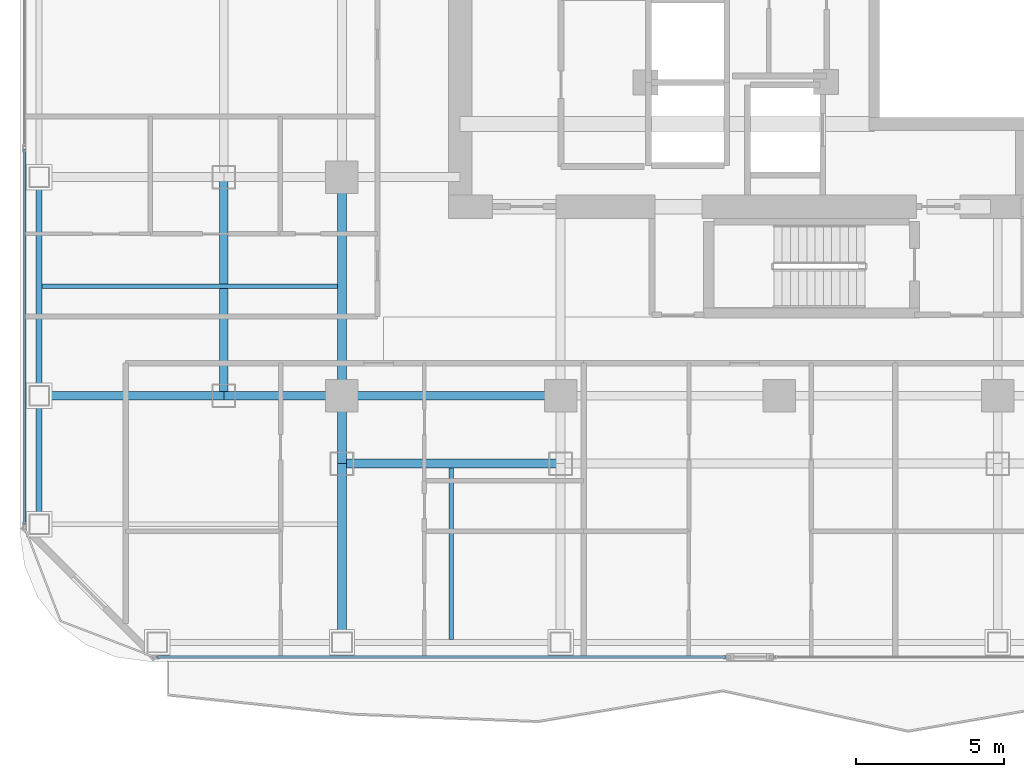
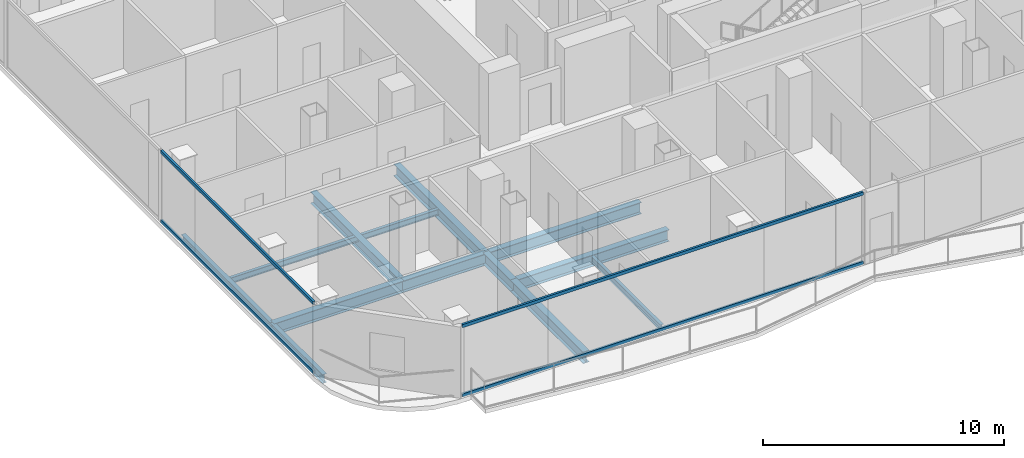
# One storey, part 3 of 26: 12 beams, 4 members, 2 elements without a shape of their own.
"""IFC4 building model written with IfcOpenShell, lengths in metres."""

import ifcopenshell
import ifcopenshell.guid

model = None  # the IFC model being written
_history = None  # IfcOwnerHistory: only IFC2X3 demands one
_inside = {}  # id of a spatial element -> (the spatial element, [elements in it])
_under = {}  # id of a project, library or spatial element -> (it, [spatial elements below it])
_declared = {}  # id of a project -> (the project, [libraries it declares])
_typed = {}  # id of a type object -> (the type object, [elements of that type])
_made_of = {}  # id of a material, layer set ... -> (it, [elements and type objects made of it])


def new_model(schema):
    """Start an empty IFC model of exactly this schema.

    Asked for "IFC4X3", IfcOpenShell would pick the latest addendum, in which some entities
    have other attributes; the version numbers below select the first issue.
    IFC2X3 requires an IfcOwnerHistory on every rooted entity: one is made here for all.
    """
    global model, _history
    if schema == "IFC4X3":
        model = ifcopenshell.file(schema_version=(4, 3, 0, 0))
    else:
        model = ifcopenshell.file(schema=schema)
    _inside.clear()
    _under.clear()
    _declared.clear()
    _typed.clear()
    _made_of.clear()
    _history = None
    if model.schema == "IFC2X3":
        org = make("IfcOrganization", Name="unknown")
        user = make(
            "IfcPersonAndOrganization",
            ThePerson=make("IfcPerson", FamilyName="unknown"),
            TheOrganization=org,
        )
        app = make(
            "IfcApplication",
            ApplicationDeveloper=org,
            Version="unknown",
            ApplicationFullName="unknown",
            ApplicationIdentifier="unknown",
        )
        _history = make(
            "IfcOwnerHistory",
            OwningUser=user,
            OwningApplication=app,
            ChangeAction="ADDED",
            CreationDate=0,
        )
    return model


def make(cls, **values):
    """One entity of the class cls with the attributes given. An attribute that is None is left unset."""
    return model.create_entity(
        cls, **{name: value for name, value in values.items() if value is not None}
    )


def rooted(cls, **values):
    """An entity with a GlobalId (a new one), such as an element, a storey or a relation."""
    return make(cls, GlobalId=ifcopenshell.guid.new(), OwnerHistory=_history, **values)


def si_unit(unit_type, name, prefix=None):
    """IfcSIUnit, for example si_unit("LENGTHUNIT", "METRE", prefix="MILLI")."""
    return make("IfcSIUnit", UnitType=unit_type, Prefix=prefix, Name=name)


def assignment(units):
    """IfcUnitAssignment: the units of a project."""
    return None if units is None else make("IfcUnitAssignment", Units=units)


def point(xyz):
    """IfcCartesianPoint."""
    return None if xyz is None else make("IfcCartesianPoint", Coordinates=xyz)


def direction(xyz):
    """IfcDirection."""
    return None if xyz is None else make("IfcDirection", DirectionRatios=xyz)


def frame(location, z_axis=None, x_axis=None):
    """IfcAxis2Placement3D, a coordinate frame: its origin and axes. An axis left out is left unset."""
    return make(
        "IfcAxis2Placement3D",
        Location=point(location),
        Axis=direction(z_axis),
        RefDirection=direction(x_axis),
    )


def frame_2d(location, x_axis=None):
    """IfcAxis2Placement2D, a coordinate frame in the plane: its origin and x axis."""
    return make(
        "IfcAxis2Placement2D", Location=point(location), RefDirection=direction(x_axis)
    )


def origin():
    """The frame at (0, 0, 0) with its axes left unset."""
    return frame((0.0, 0.0, 0.0))


def origin_2d():
    """The frame at (0, 0) in the plane with its x axis left unset."""
    return frame_2d((0.0, 0.0))


def place(relative_to, where):
    """IfcLocalPlacement: puts the frame where relative to a parent placement (None: the world)."""
    return make(
        "IfcLocalPlacement", PlacementRelTo=relative_to, RelativePlacement=where
    )


def context(
    kind, dimensions, precision=None, world=None, true_north=None, identifier=None
):
    """IfcGeometricRepresentationContext, for example the 3D "Model" context."""
    return make(
        "IfcGeometricRepresentationContext",
        ContextIdentifier=identifier,
        ContextType=kind,
        CoordinateSpaceDimension=dimensions,
        Precision=precision,
        WorldCoordinateSystem=world,
        TrueNorth=true_north,
    )


def subcontext(parent, identifier, kind, view, scale=None):
    """IfcGeometricRepresentationSubContext, for example "Body" below "Model"."""
    return make(
        "IfcGeometricRepresentationSubContext",
        ContextIdentifier=identifier,
        ContextType=kind,
        ParentContext=parent,
        TargetScale=scale,
        TargetView=view,
    )


def project(units=None, contexts=None):
    """IfcProject with its units and contexts."""
    return rooted(
        "IfcProject",
        Name="project",
        RepresentationContexts=contexts,
        UnitsInContext=assignment(units),
    )


def spatial(cls, under=None, at=None, **own):
    """A site, building, storey or space (cls), placed at a placement, below another one or the project."""
    s = rooted(cls, ObjectPlacement=at, **own)
    if under is not None:
        _under.setdefault(under.id(), (under, []))[1].append(s)
    return s


def profile(cls, at=None, kind="AREA", **sizes):
    """A parametric profile (cls). Its sizes go by their IFC names, for example OverallWidth=200.0."""
    return make(cls, ProfileType=kind, Position=at, **sizes)


def hollow_rectangle(**sizes):
    """IfcRectangleHollowProfileDef."""
    return profile("IfcRectangleHollowProfileDef", **sizes)


def i_section(**sizes):
    """IfcIShapeProfileDef."""
    return profile("IfcIShapeProfileDef", **sizes)


def extrude(swept, where, along, depth):
    """IfcExtrudedAreaSolid: the profile swept, set in the frame where, extruded along a direction by depth."""
    return make(
        "IfcExtrudedAreaSolid",
        SweptArea=swept,
        Position=where,
        ExtrudedDirection=direction(along),
        Depth=depth,
    )


def shape(context_of_items, identifier, shape_type, items):
    """IfcShapeRepresentation: the items that make up one representation, for example the "Body"."""
    return make(
        "IfcShapeRepresentation",
        ContextOfItems=context_of_items,
        RepresentationIdentifier=identifier,
        RepresentationType=shape_type,
        Items=items,
    )


def material(Name=None, Category=None):
    """IfcMaterial."""
    return make("IfcMaterial", Name=Name, Category=Category)


def layer(
    of_material, thickness, ventilated=None, Name=None, Category=None, Priority=None
):
    """IfcMaterialLayer: one layer of a wall or slab, of a material (None: an air gap)."""
    return make(
        "IfcMaterialLayer",
        Material=of_material,
        LayerThickness=thickness,
        IsVentilated=ventilated,
        Name=Name,
        Category=Category,
        Priority=Priority,
    )


def layer_set(layers, Name=None):
    """IfcMaterialLayerSet."""
    return make("IfcMaterialLayerSet", MaterialLayers=layers, LayerSetName=Name)


def material_profile(
    of_material, cross_section, Name=None, Category=None, Priority=None
):
    """IfcMaterialProfile: a cross section and its material."""
    return make(
        "IfcMaterialProfile",
        Name=Name,
        Material=of_material,
        Profile=cross_section,
        Priority=Priority,
        Category=Category,
    )


def profile_set(profiles, Name=None, composite=None):
    """IfcMaterialProfileSet."""
    return make(
        "IfcMaterialProfileSet",
        Name=Name,
        MaterialProfiles=profiles,
        CompositeProfile=composite,
    )


def made_of(thing, what):
    """Note that an element or type object is made of a material, layer set ...; save() writes the relation."""
    if what is not None:
        _made_of.setdefault(what.id(), (what, []))[1].append(thing)
    return thing


def type_object(cls, material=None, **own):
    """A type object (cls), such as IfcWallType, which elements share."""
    return made_of(rooted(cls, **own), material)


def element(
    cls,
    number,
    at=None,
    inside=None,
    cuts=None,
    type_object=None,
    material=None,
    context=None,
    identifier="Body",
    shape_type=None,
    held_by="IfcProductDefinitionShape",
    body=None,
    shapes=None,
    **own,
):
    """One element of the class cls, such as IfcWall. Its Tag is "e" and its number.

    at: its placement. inside: the storey or other place that contains it. cuts: it is an
    opening in that element (IfcRelVoidsElement). A single representation is given by context,
    identifier, shape_type and body (its items); several are given by shapes. held_by: the class
    of the entity that holds the representations. save() writes the other relations.
    """
    e = rooted(cls, Tag="e%d" % number, ObjectPlacement=at, **own)
    if body is not None:
        shapes = [shape(context, identifier, shape_type, body)]
    if shapes is not None:
        e.Representation = make(held_by, Representations=shapes)
    if inside is not None:
        _inside.setdefault(inside.id(), (inside, []))[1].append(e)
    if cuts is not None:
        rooted(
            "IfcRelVoidsElement", RelatingBuildingElement=cuts, RelatedOpeningElement=e
        )
    if type_object is not None:
        _typed.setdefault(type_object.id(), (type_object, []))[1].append(e)
    return made_of(e, material)


def aggregate(whole, parts):
    """IfcRelAggregates: a whole, such as a stair, and the parts it consists of."""
    return rooted("IfcRelAggregates", RelatingObject=whole, RelatedObjects=parts)


def save(model, path):
    """Write the relations noted so far, then the file.

    IfcRelAggregates (storeys below a building ...), IfcRelContainedInSpatialStructure (elements
    in a storey), IfcRelDefinesByType, IfcRelAssociatesMaterial and IfcRelDeclares: one each for
    every whole, place, type object, material and project.
    """
    for whole, parts in _under.values():
        aggregate(whole, parts)
    for where, things in _inside.values():
        rooted(
            "IfcRelContainedInSpatialStructure",
            RelatedElements=things,
            RelatingStructure=where,
        )
    for kind, things in _typed.values():
        rooted("IfcRelDefinesByType", RelatedObjects=things, RelatingType=kind)
    for what, things in _made_of.values():
        rooted("IfcRelAssociatesMaterial", RelatedObjects=things, RelatingMaterial=what)
    for by, libraries in _declared.values():
        rooted("IfcRelDeclares", RelatingContext=by, RelatedDefinitions=libraries)
    model.write(path)


model = new_model("IFC4")

# Units and contexts
model_context = context("Model", 3, precision=1e-05, world=origin(), true_north=direction((0.0, 1.0)))
body_context = subcontext(model_context, "Body", "Model", "MODEL_VIEW")
ifc_project = project(units=[si_unit("LENGTHUNIT", "METRE"), si_unit("AREAUNIT", "SQUARE_METRE"), si_unit("VOLUMEUNIT", "CUBIC_METRE"), si_unit("PLANEANGLEUNIT", "RADIAN"), si_unit("MASSUNIT", "GRAM", prefix="KILO")], contexts=[model_context])

# Site, building, storey
site_placement = place(None, origin())
site = spatial("IfcSite", under=ifc_project, at=site_placement, CompositionType="ELEMENT")
building_placement = place(site_placement, origin())
building = spatial("IfcBuilding", under=site, at=building_placement, Name="Khorvyn Point Tower", CompositionType="ELEMENT")
storey_placement = place(building_placement, frame((0.0, 0.0, 187.5)))
storey = spatial("IfcBuildingStorey", under=building, at=storey_placement, Name="L46", CompositionType="ELEMENT", Elevation=187.5)

# Curtain wall, members
ifc_material_1 = material(Name="Anodised aluminium 6063-T6 and laminated Low-E glass", Category="aluminium")
ifc_layer = layer(ifc_material_1, 0.18994140625)
ifc_layer_set = layer_set([ifc_layer], Name="Stick-Built Acoustic Curtain Wall CW-SYS-03")
curtain_wall_type = type_object("IfcCurtainWallType", Name="Stick-Built Acoustic Curtain Wall CW-SYS-03", PredefinedType="NOTDEFINED", material=ifc_layer_set)
curtain_wall_1_placement = place(storey_placement, origin())
curtain_wall_1 = element("IfcCurtainWall", 1, at=curtain_wall_1_placement, inside=storey, type_object=curtain_wall_type, Name="Curtain Wall", PredefinedType="NOTDEFINED")
ifc_material_2 = material(Name="Anodised aluminium 6063-T6", Category="aluminium")
ifc_material_profile_1 = material_profile(ifc_material_2, hollow_rectangle(XDim=0.10009765625, YDim=0.159912109375, WallThickness=0.00439453125, at=origin_2d()))
ifc_profile_set_1 = profile_set([ifc_material_profile_1], Name="Anodised aluminium 6063-T6 ALU-TRN-100x160")
member_type = type_object("IfcMemberType", Name="Anodised Aluminium 6063-T6 Transom ALU-TRN-100x160", PredefinedType="USERDEFINED", material=ifc_profile_set_1)
member_1_placement = place(storey_placement, frame((-1.805908203125, -23.64990234375, 0.050048828125), z_axis=(-1.0, 0.0, 0.0), x_axis=(0.0, -1.0, 0.0)))
member_1 = element("IfcMember", 2, at=member_1_placement, type_object=member_type, Name="Transom", ObjectType="TRANSOM", PredefinedType="USERDEFINED", context=body_context, shape_type="SweptSolid", body=[
    extrude(hollow_rectangle(XDim=0.10009765625, YDim=0.159912109375, WallThickness=0.00439453125, at=origin_2d()), origin(), (0.0, 0.0, 1.0), 19.244140625),
])
member_2_placement = place(storey_placement, frame((-1.805908203125, -23.64990234375, 3.570068359375), z_axis=(-1.0, 0.0, 0.0), x_axis=(0.0, -1.0, 0.0)))
member_2 = element("IfcMember", 3, at=member_2_placement, type_object=member_type, Name="Transom", ObjectType="TRANSOM", PredefinedType="USERDEFINED", context=body_context, shape_type="SweptSolid", body=[
    extrude(hollow_rectangle(XDim=0.10009765625, YDim=0.159912109375, WallThickness=0.00439453125, at=origin_2d()), origin(), (0.0, 0.0, 1.0), 19.244140625),
])
aggregate(curtain_wall_1, [member_1, member_2])

curtain_wall_2_placement = place(storey_placement, origin())
curtain_wall_2 = element("IfcCurtainWall", 4, at=curtain_wall_2_placement, inside=storey, type_object=curtain_wall_type, Name="Curtain Wall", PredefinedType="NOTDEFINED")
member_3_placement = place(storey_placement, frame((-25.550048828125, -19.14990234375, 0.050048828125), z_axis=(0.0, 1.0, 0.0), x_axis=(-1.0, 0.0, 0.0)))
member_3 = element("IfcMember", 5, at=member_3_placement, type_object=member_type, Name="Transom", ObjectType="TRANSOM", PredefinedType="USERDEFINED", context=body_context, shape_type="SweptSolid", body=[
    extrude(hollow_rectangle(XDim=0.10009765625, YDim=0.159912109375, WallThickness=0.00439453125, at=origin_2d()), origin(), (0.0, 0.0, 1.0), 12.683349609375),
])
member_4_placement = place(storey_placement, frame((-25.550048828125, -19.14990234375, 3.570068359375), z_axis=(0.0, 1.0, 0.0), x_axis=(-1.0, 0.0, 0.0)))
member_4 = element("IfcMember", 6, at=member_4_placement, type_object=member_type, Name="Transom", ObjectType="TRANSOM", PredefinedType="USERDEFINED", context=body_context, shape_type="SweptSolid", body=[
    extrude(hollow_rectangle(XDim=0.10009765625, YDim=0.159912109375, WallThickness=0.00439453125, at=origin_2d()), origin(), (0.0, 0.0, 1.0), 12.683349609375),
])
aggregate(curtain_wall_2, [member_3, member_4])

# Beams
ifc_material_3 = material(Name="Steel S355", Category="steel")
ifc_material_profile_2 = material_profile(ifc_material_3, i_section(OverallWidth=0.300048828125, OverallDepth=0.587890625, WebThickness=0.011962890625, FlangeThickness=0.02001953125, at=origin_2d()))
ifc_profile_set_2 = profile_set([ifc_material_profile_2], Name="Steel S355 H588x300x12x20")
beam_type_1 = type_object("IfcBeamType", Name="Steel S355 Beam H588x300x12x20", PredefinedType="BEAM", material=ifc_profile_set_2)
beam_1_placement = place(storey_placement, frame((-25.050048828125, -14.800048828125, -0.513916015625), z_axis=(1.0, 0.0, 0.0), x_axis=(0.0, 1.0, 0.0)))
element("IfcBeam", 7, at=beam_1_placement, inside=storey, type_object=beam_type_1, Name="Beam", PredefinedType="BEAM", context=body_context, shape_type="SweptSolid", body=[
    extrude(i_section(OverallWidth=0.300048828125, OverallDepth=0.587890625, WebThickness=0.011962890625, FlangeThickness=0.02001953125, at=origin_2d()), origin(), (0.0, 0.0, 1.0), 6.25),
])
beam_2_placement = place(storey_placement, frame((-18.800048828125, -14.800048828125, -0.513916015625), z_axis=(1.0, 0.0, 0.0), x_axis=(0.0, 1.0, 0.0)))
element("IfcBeam", 8, at=beam_2_placement, inside=storey, type_object=beam_type_1, Name="Beam", PredefinedType="BEAM", context=body_context, shape_type="SweptSolid", body=[
    extrude(i_section(OverallWidth=0.300048828125, OverallDepth=0.587890625, WebThickness=0.011962890625, FlangeThickness=0.02001953125, at=origin_2d()), origin(), (0.0, 0.0, 1.0), 4.0),
])
for number, where, z_axis, x_axis, name in (
    (9, (-14.800048828125, -14.800048828125, -0.513916015625), (1.0, 0.0, 0.0), (0.0, 1.0, 0.0), "Beam"),
    (10, (-14.800048828125, -17.10009765625, -0.513916015625), (1.0, 0.0, 0.0), (0.0, 1.0, 0.0), "Beam"),
):
    element("IfcBeam", number, at=place(storey_placement, frame(where, z_axis=z_axis, x_axis=x_axis)), inside=storey, type_object=beam_type_1, Name=name, PredefinedType="BEAM", context=body_context, shape_type="SweptSolid", body=[
        extrude(i_section(OverallWidth=0.300048828125, OverallDepth=0.587890625, WebThickness=0.011962890625, FlangeThickness=0.02001953125, at=origin_2d()), origin(), (0.0, 0.0, 1.0), 7.400146484375),
    ])
beam_3_placement = place(storey_placement, frame((-14.800048828125, -23.14990234375, -0.513916015625), z_axis=(0.0, 1.0, 0.0), x_axis=(-1.0, 0.0, 0.0)))
element("IfcBeam", 11, at=beam_3_placement, inside=storey, type_object=beam_type_1, Name="Beam", PredefinedType="BEAM", context=body_context, shape_type="SweptSolid", body=[
    extrude(i_section(OverallWidth=0.300048828125, OverallDepth=0.587890625, WebThickness=0.011962890625, FlangeThickness=0.02001953125, at=origin_2d()), origin(), (0.0, 0.0, 1.0), 6.0498046875),
])
beam_4_placement = place(storey_placement, frame((-14.800048828125, -17.10009765625, -0.513916015625), z_axis=(0.0, 1.0, 0.0), x_axis=(-1.0, 0.0, 0.0)))
element("IfcBeam", 12, at=beam_4_placement, inside=storey, type_object=beam_type_1, Name="Beam", PredefinedType="BEAM", context=body_context, shape_type="SweptSolid", body=[
    extrude(i_section(OverallWidth=0.300048828125, OverallDepth=0.587890625, WebThickness=0.011962890625, FlangeThickness=0.02001953125, at=origin_2d()), origin(), (0.0, 0.0, 1.0), 2.300048828125),
])
for number, where, z_axis, x_axis, name in (
    (13, (-14.800048828125, -14.800048828125, -0.513916015625), (0.0, 1.0, 0.0), (-1.0, 0.0, 0.0), "Beam"),
    (14, (-18.800048828125, -14.800048828125, -0.513916015625), (0.0, 1.0, 0.0), (-1.0, 0.0, 0.0), "Beam"),
):
    element("IfcBeam", number, at=place(storey_placement, frame(where, z_axis=z_axis, x_axis=x_axis)), inside=storey, type_object=beam_type_1, Name=name, PredefinedType="BEAM", context=body_context, shape_type="SweptSolid", body=[
        extrude(i_section(OverallWidth=0.300048828125, OverallDepth=0.587890625, WebThickness=0.011962890625, FlangeThickness=0.02001953125, at=origin_2d()), origin(), (0.0, 0.0, 1.0), 7.400146484375),
    ])
ifc_material_profile_3 = material_profile(ifc_material_3, i_section(OverallWidth=0.14990234375, OverallDepth=0.300048828125, WebThickness=0.006591796875, FlangeThickness=0.009033203125, at=origin_2d()))
ifc_profile_set_3 = profile_set([ifc_material_profile_3], Name="Steel S355 H300x150x6.5x9")
beam_type_2 = type_object("IfcBeamType", Name="Steel S355 Joist H300x150x6.5x9", PredefinedType="JOIST", material=ifc_profile_set_3)
beam_5_placement = place(storey_placement, frame((-24.949951171875, -11.10009765625, -0.3701171875), z_axis=(1.0, 0.0, 0.0), x_axis=(0.0, 1.0, 0.0)))
element("IfcBeam", 15, at=beam_5_placement, inside=storey, type_object=beam_type_2, Name="Beam", PredefinedType="JOIST", context=body_context, shape_type="SweptSolid", body=[
    extrude(i_section(OverallWidth=0.14990234375, OverallDepth=0.300048828125, WebThickness=0.006591796875, FlangeThickness=0.009033203125, at=origin_2d()), origin(), (0.0, 0.0, 1.0), 10.0),
])
beam_6_placement = place(storey_placement, frame((-11.10009765625, -23.050048828125, -0.3701171875), z_axis=(0.0, 1.0, 0.0), x_axis=(-1.0, 0.0, 0.0)))
element("IfcBeam", 16, at=beam_6_placement, inside=storey, type_object=beam_type_2, Name="Beam", PredefinedType="JOIST", context=body_context, shape_type="SweptSolid", body=[
    extrude(i_section(OverallWidth=0.14990234375, OverallDepth=0.300048828125, WebThickness=0.006591796875, FlangeThickness=0.009033203125, at=origin_2d()), origin(), (0.0, 0.0, 1.0), 5.800048828125),
])
ifc_material_profile_4 = material_profile(ifc_material_3, i_section(OverallWidth=0.199951171875, OverallDepth=0.449951171875, WebThickness=0.009033203125, FlangeThickness=0.013916015625, at=origin_2d()))
ifc_profile_set_4 = profile_set([ifc_material_profile_4], Name="Steel S355 H450x200x9x14")
beam_type_3 = type_object("IfcBeamType", Name="Steel S355 Spandrel H450x200x9x14", PredefinedType="SPANDREL", material=ifc_profile_set_4)
beam_7_placement = place(storey_placement, frame((-25.050048828125, -19.14990234375, -0.445068359375), z_axis=(0.0, 1.0, 0.0), x_axis=(-1.0, 0.0, 0.0)))
element("IfcBeam", 17, at=beam_7_placement, inside=storey, type_object=beam_type_3, Name="Beam", PredefinedType="SPANDREL", context=body_context, shape_type="SweptSolid", body=[
    extrude(i_section(OverallWidth=0.199951171875, OverallDepth=0.449951171875, WebThickness=0.009033203125, FlangeThickness=0.013916015625, at=origin_2d()), origin(), (0.0, 0.0, 1.0), 4.349853515625),
])
beam_8_placement = place(storey_placement, frame((-25.050048828125, -14.800048828125, -0.445068359375), z_axis=(0.0, 1.0, 0.0), x_axis=(-1.0, 0.0, 0.0)))
element("IfcBeam", 18, at=beam_8_placement, inside=storey, type_object=beam_type_3, Name="Beam", PredefinedType="SPANDREL", context=body_context, shape_type="SweptSolid", body=[
    extrude(i_section(OverallWidth=0.199951171875, OverallDepth=0.449951171875, WebThickness=0.009033203125, FlangeThickness=0.013916015625, at=origin_2d()), origin(), (0.0, 0.0, 1.0), 7.400146484375),
])

save(model, "model.ifc")
